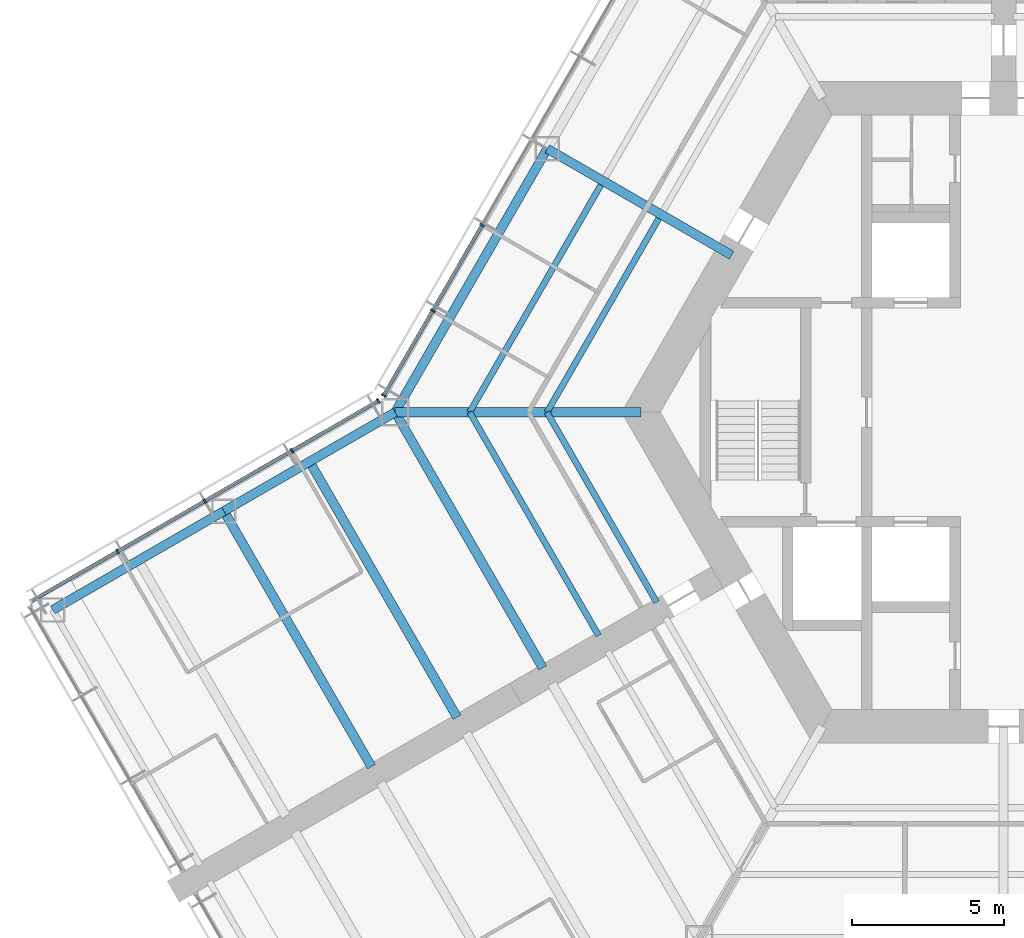
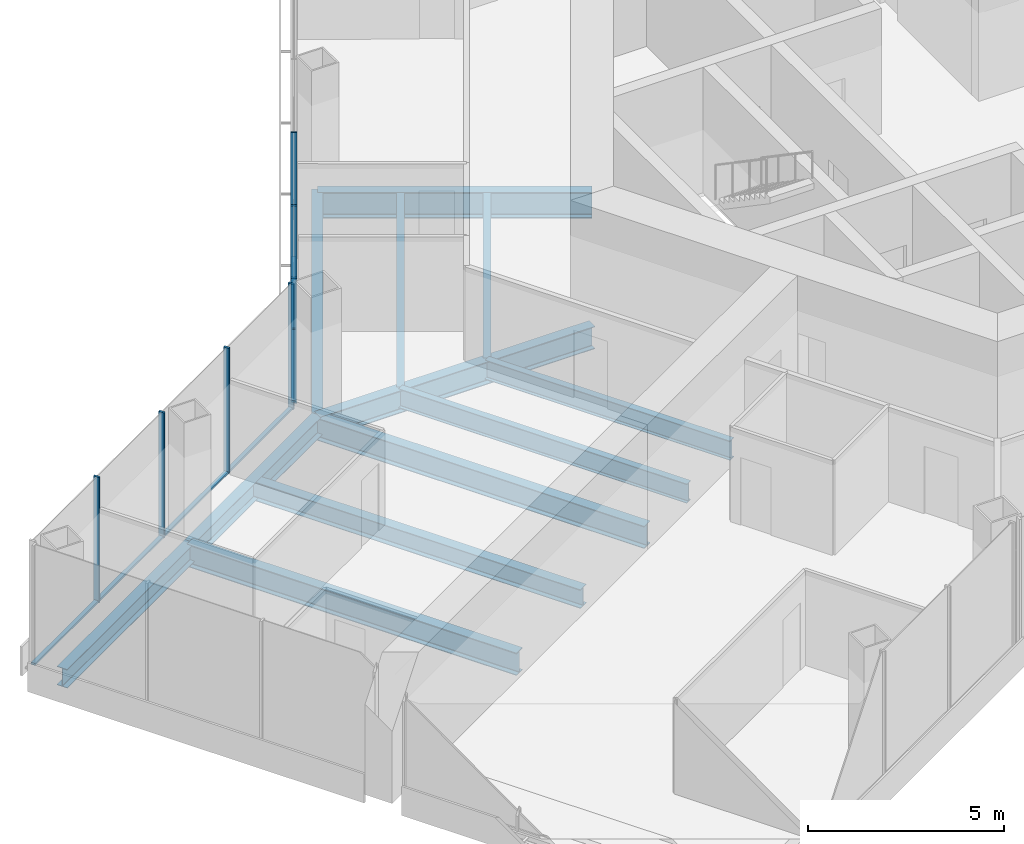
# One storey, part 4 of 18: 13 members, 12 beams, 2 elements without a shape of their own.
"""IFC4 building model written with IfcOpenShell, lengths in metres."""

from ifc_helpers import new_model, si_unit, direction, frame, origin, origin_2d, place, context, subcontext, project, spatial, rectangle, i_section, extrude, material, material_profile, profile_set, type_object, element, aggregate, save


model = new_model("IFC4")

# Units and contexts
model_context = context("Model", 3, precision=1e-05, world=origin(), true_north=direction((0.0, 1.0)))
body_context = subcontext(model_context, "Body", "Model", "MODEL_VIEW")
ifc_project = project(units=[si_unit("LENGTHUNIT", "METRE"), si_unit("AREAUNIT", "SQUARE_METRE"), si_unit("VOLUMEUNIT", "CUBIC_METRE"), si_unit("PLANEANGLEUNIT", "RADIAN"), si_unit("MASSUNIT", "GRAM", prefix="KILO")], contexts=[model_context])

# Site, building, storey
site_placement = place(None, origin())
site = spatial("IfcSite", under=ifc_project, at=site_placement, CompositionType="ELEMENT")
building_placement = place(site_placement, origin())
building = spatial("IfcBuilding", under=site, at=building_placement, Name="Kasaneha Research Tower", CompositionType="ELEMENT")
storey_placement = place(building_placement, frame((0.0, 0.0, 76.800048828125)))
storey = spatial("IfcBuildingStorey", under=building, at=storey_placement, Name="L19", CompositionType="ELEMENT", Elevation=76.800048828125)

# Beams
ifc_material_1 = material(Name="Steel SN490B", Category="steel")
ifc_material_profile_1 = material_profile(ifc_material_1, i_section(OverallWidth=0.199951171875, OverallDepth=0.60009765625, WebThickness=0.010986328125, FlangeThickness=0.01708984375, FilletRadius=0.012939453125, at=origin_2d()), Name="H-600x200x11x17")
ifc_profile_set_1 = profile_set([ifc_material_profile_1], Name="Steel SN490B")
beam_type_1 = type_object("IfcBeamType", Name="B1-3 secondary beam H-600x200x11x17", PredefinedType="JOIST", material=ifc_profile_set_1)
beam_1_placement = place(storey_placement, frame((-15.010986328125, 0.0, -0.449951171875), z_axis=(0.499994443168, 0.866028611999, 0.0), x_axis=(-0.866028611999, 0.499994443168, 0.0)))
element("IfcBeam", 1, at=beam_1_placement, inside=storey, type_object=beam_type_1, Name="Secondary beam RS150R1 L19", PredefinedType="JOIST", context=body_context, shape_type="SweptSolid", body=[
    extrude(i_section(OverallWidth=0.199951171875, OverallDepth=0.60009765625, WebThickness=0.010986328125, FlangeThickness=0.01708984375, FilletRadius=0.012939453125, at=origin_2d()), origin(), (0.0, 0.0, 1.0), 7.35546875),
])
beam_2_placement = place(storey_placement, frame((-17.551513671875, 0.0, -0.449951171875), z_axis=(0.5000050195, 0.866022505755, 0.0), x_axis=(-0.866022505755, 0.5000050195, 0.0)))
element("IfcBeam", 2, at=beam_2_placement, inside=storey, type_object=beam_type_1, Name="Secondary beam RS150R2 L19", PredefinedType="JOIST", context=body_context, shape_type="SweptSolid", body=[
    extrude(i_section(OverallWidth=0.199951171875, OverallDepth=0.60009765625, WebThickness=0.010986328125, FlangeThickness=0.01708984375, FilletRadius=0.012939453125, at=origin_2d()), origin(), (0.0, 0.0, 1.0), 8.6259765625),
])
beam_3_placement = place(storey_placement, frame((-15.010986328125, 0.0, -0.449951171875), z_axis=(0.499972735707, -0.866041144259, 0.0), x_axis=(0.866041144259, 0.499972735707, 0.0)))
element("IfcBeam", 3, at=beam_3_placement, inside=storey, type_object=beam_type_1, Name="Secondary beam RS210L1 L19", PredefinedType="JOIST", context=body_context, shape_type="SweptSolid", body=[
    extrude(i_section(OverallWidth=0.199951171875, OverallDepth=0.60009765625, WebThickness=0.010986328125, FlangeThickness=0.01708984375, FilletRadius=0.012939453125, at=origin_2d()), origin(), (0.0, 0.0, 1.0), 7.20556640625),
])
beam_4_placement = place(storey_placement, frame((-17.551513671875, 0.0, -0.449951171875), z_axis=(0.500020829043, -0.866013377797, 0.0), x_axis=(0.866013377797, 0.500020829043, 0.0)))
element("IfcBeam", 4, at=beam_4_placement, inside=storey, type_object=beam_type_1, Name="Secondary beam RS210L2 L19", PredefinedType="JOIST", context=body_context, shape_type="SweptSolid", body=[
    extrude(i_section(OverallWidth=0.199951171875, OverallDepth=0.60009765625, WebThickness=0.010986328125, FlangeThickness=0.01708984375, FilletRadius=0.012939453125, at=origin_2d()), origin(), (0.0, 0.0, 1.0), 8.475830078125),
])
ifc_material_2 = material(Name="Steel SN490B", Category="steel")
ifc_material_profile_2 = material_profile(ifc_material_2, i_section(OverallWidth=0.300048828125, OverallDepth=0.58203125, WebThickness=0.011962890625, FlangeThickness=0.01708984375, FilletRadius=0.012939453125, at=origin_2d()), Name="H-582x300x12x17")
ifc_profile_set_2 = profile_set([ifc_material_profile_2], Name="Steel SN490B")
beam_type_2 = type_object("IfcBeamType", Name="B2-3 secondary beam H-582x300x12x17", PredefinedType="JOIST", material=ifc_profile_set_2)
beam_5_placement = place(storey_placement, frame((-22.814697265625, -1.625, -0.441162109375), z_axis=(0.500010041276, -0.866019606374, 0.0), x_axis=(0.866019606374, 0.500010041276, 0.0)))
element("IfcBeam", 5, at=beam_5_placement, inside=storey, type_object=beam_type_2, Name="Secondary beam WBBP1 L19", PredefinedType="JOIST", context=body_context, shape_type="SweptSolid", body=[
    extrude(i_section(OverallWidth=0.300048828125, OverallDepth=0.58203125, WebThickness=0.011962890625, FlangeThickness=0.01708984375, FilletRadius=0.012939453125, at=origin_2d()), origin(), (0.0, 0.0, 1.0), 9.699951171875),
])

# Curtain wall, members
ifc_material_3 = material(Name="Glass and aluminium", Category="aluminium")
curtain_wall_type = type_object("IfcCurtainWallType", Name="Low-rise office curtain wall", PredefinedType="USERDEFINED", material=ifc_material_3)
curtain_wall_1_placement = place(storey_placement, origin())
curtain_wall_1 = element("IfcCurtainWall", 6, at=curtain_wall_1_placement, inside=storey, type_object=curtain_wall_type, Name="CW-O1 L19 run 12a", ObjectType="UNITISED CURTAIN WALL", PredefinedType="USERDEFINED")
ifc_material_4 = material(Name="Aluminium 6063-T6", Category="aluminium")
ifc_material_profile_3 = material_profile(ifc_material_4, rectangle(XDim=0.06005859375, YDim=0.159912109375, at=origin_2d()), Name="CW-O1 mullion 60x160")
ifc_profile_set_3 = profile_set([ifc_material_profile_3], Name="Aluminium 6063-T6")
member_type_1 = type_object("IfcMemberType", Name="CW-O1 mullion", PredefinedType="MULLION", material=ifc_profile_set_3)
member_1_placement = place(storey_placement, frame((-17.142822265625, 6.148681640625, 0.0), z_axis=(0.0, 0.0, 1.0), x_axis=(-0.49999996188, -0.866025425793, 0.0)))
member_1 = element("IfcMember", 7, at=member_1_placement, type_object=member_type_1, Name="CW-O1 mullion 5", PredefinedType="MULLION", context=body_context, shape_type="SweptSolid", body=[
    extrude(rectangle(XDim=0.06005859375, YDim=0.159912109375, at=origin_2d()), origin(), (0.0, 0.0, 1.0), 3.89990234375),
])
member_2_placement = place(storey_placement, frame((-18.76611328125, 3.33740234375, 0.0), z_axis=(0.0, 0.0, 1.0), x_axis=(-0.49999996188, -0.866025425793, 0.0)))
member_2 = element("IfcMember", 8, at=member_2_placement, type_object=member_type_1, Name="CW-O1 mullion 6", PredefinedType="MULLION", context=body_context, shape_type="SweptSolid", body=[
    extrude(rectangle(XDim=0.06005859375, YDim=0.159912109375, at=origin_2d()), origin(), (0.0, 0.0, 1.0), 3.89990234375),
])
member_3_placement = place(storey_placement, frame((-20.374267578125, 0.5517578125, 0.0), z_axis=(0.0, 0.0, 1.0), x_axis=(-0.49999996188, -0.866025425793, 0.0)))
member_3 = element("IfcMember", 9, at=member_3_placement, type_object=member_type_1, Name="CW-O1 mullion 7", PredefinedType="MULLION", context=body_context, shape_type="SweptSolid", body=[
    extrude(rectangle(XDim=0.06005859375, YDim=0.159912109375, at=origin_2d()), origin(), (0.0, 0.0, 1.0), 3.89990234375),
])

curtain_wall_2_placement = place(storey_placement, origin())
curtain_wall_2 = element("IfcCurtainWall", 10, at=curtain_wall_2_placement, inside=storey, type_object=curtain_wall_type, Name="CW-O1 L19 run 13a", ObjectType="UNITISED CURTAIN WALL", PredefinedType="USERDEFINED")
member_4_placement = place(storey_placement, frame((-20.5517578125, 0.374267578125, 0.0), z_axis=(0.0, 0.0, 1.0), x_axis=(-0.866025411464, -0.499999986699, 0.0)))
member_4 = element("IfcMember", 11, at=member_4_placement, type_object=member_type_1, Name="CW-O1 mullion 1", PredefinedType="MULLION", context=body_context, shape_type="SweptSolid", body=[
    extrude(rectangle(XDim=0.06005859375, YDim=0.159912109375, at=origin_2d()), origin(), (0.0, 0.0, 1.0), 3.89990234375),
])
member_5_placement = place(storey_placement, frame((-23.39208984375, -1.265625, 0.0), z_axis=(0.0, 0.0, 1.0), x_axis=(-0.866025411464, -0.499999986699, 0.0)))
member_5 = element("IfcMember", 12, at=member_5_placement, type_object=member_type_1, Name="CW-O1 mullion 2", PredefinedType="MULLION", context=body_context, shape_type="SweptSolid", body=[
    extrude(rectangle(XDim=0.06005859375, YDim=0.159912109375, at=origin_2d()), origin(), (0.0, 0.0, 1.0), 3.89990234375),
])
member_6_placement = place(storey_placement, frame((-26.258544921875, -2.920654296875, 0.0), z_axis=(0.0, 0.0, 1.0), x_axis=(-0.866025411464, -0.499999986699, 0.0)))
member_6 = element("IfcMember", 13, at=member_6_placement, type_object=member_type_1, Name="CW-O1 mullion 3", PredefinedType="MULLION", context=body_context, shape_type="SweptSolid", body=[
    extrude(rectangle(XDim=0.06005859375, YDim=0.159912109375, at=origin_2d()), origin(), (0.0, 0.0, 1.0), 3.89990234375),
])
member_7_placement = place(storey_placement, frame((-29.125, -4.575439453125, 0.0), z_axis=(0.0, 0.0, 1.0), x_axis=(-0.866025411464, -0.499999986699, 0.0)))
member_7 = element("IfcMember", 14, at=member_7_placement, type_object=member_type_1, Name="CW-O1 mullion 4", PredefinedType="MULLION", context=body_context, shape_type="SweptSolid", body=[
    extrude(rectangle(XDim=0.06005859375, YDim=0.159912109375, at=origin_2d()), origin(), (0.0, 0.0, 1.0), 3.89990234375),
])

# Member
ifc_material_5 = material(Name="Aluminium 6063-T6", Category="aluminium")
ifc_material_profile_4 = material_profile(ifc_material_5, rectangle(XDim=0.1201171875, YDim=0.06005859375, at=origin_2d()), Name="CW-O1 transom 120x60")
ifc_profile_set_4 = profile_set([ifc_material_profile_4], Name="Aluminium 6063-T6")
member_type_2 = type_object("IfcMemberType", Name="CW-O1 transom", PredefinedType="USERDEFINED", material=ifc_profile_set_4)
member_8_placement = place(storey_placement, frame((-17.15771484375, 6.122802734375, 0.030029296875), z_axis=(-0.500012062035, -0.866018439653, 0.0), x_axis=(0.866018439653, -0.500012062035, 0.0)))
member_8 = element("IfcMember", 15, at=member_8_placement, type_object=member_type_2, Name="CW-O1 transom 5", ObjectType="TRANSOM", PredefinedType="USERDEFINED", context=body_context, shape_type="SweptSolid", body=[
    extrude(rectangle(XDim=0.1201171875, YDim=0.06005859375, at=origin_2d()), origin(), (0.0, 0.0, 1.0), 3.1865234375),
])

member_9_placement = place(storey_placement, frame((-18.781005859375, 3.311279296875, 0.030029296875), z_axis=(-0.499999210213, -0.866025859768, 0.0), x_axis=(0.866025859768, -0.499999210213, 0.0)))
member_9 = element("IfcMember", 16, at=member_9_placement, type_object=member_type_2, Name="CW-O1 transom 6", ObjectType="TRANSOM", PredefinedType="USERDEFINED", context=body_context, shape_type="SweptSolid", body=[
    extrude(rectangle(XDim=0.1201171875, YDim=0.06005859375, at=origin_2d()), origin(), (0.0, 0.0, 1.0), 3.15625),
])

aggregate(curtain_wall_1, [member_1, member_2, member_3, member_8, member_9])

member_10_placement = place(storey_placement, frame((-20.577880859375, 0.359130859375, 0.030029296875), z_axis=(-0.866022692473, -0.500004696101, 0.0), x_axis=(0.500004696101, -0.866022692473, 0.0)))
member_10 = element("IfcMember", 17, at=member_10_placement, type_object=member_type_2, Name="CW-O1 transom 1", ObjectType="TRANSOM", PredefinedType="USERDEFINED", context=body_context, shape_type="SweptSolid", body=[
    extrude(rectangle(XDim=0.1201171875, YDim=0.06005859375, at=origin_2d()), origin(), (0.0, 0.0, 1.0), 3.2197265625),
])

member_11_placement = place(storey_placement, frame((-23.418212890625, -1.28076171875, 0.030029296875), z_axis=(-0.86604797581, -0.499960902066, 0.0), x_axis=(0.499960902066, -0.86604797581, 0.0)))
member_11 = element("IfcMember", 18, at=member_11_placement, type_object=member_type_2, Name="CW-O1 transom 2", ObjectType="TRANSOM", PredefinedType="USERDEFINED", context=body_context, shape_type="SweptSolid", body=[
    extrude(rectangle(XDim=0.1201171875, YDim=0.06005859375, at=origin_2d()), origin(), (0.0, 0.0, 1.0), 3.249755859375),
])

member_12_placement = place(storey_placement, frame((-26.28466796875, -2.935546875, 0.030029296875), z_axis=(-0.86599666273, -0.500049777664, 0.0), x_axis=(0.500049777664, -0.86599666273, 0.0)))
member_12 = element("IfcMember", 19, at=member_12_placement, type_object=member_type_2, Name="CW-O1 transom 3", ObjectType="TRANSOM", PredefinedType="USERDEFINED", context=body_context, shape_type="SweptSolid", body=[
    extrude(rectangle(XDim=0.1201171875, YDim=0.06005859375, at=origin_2d()), origin(), (0.0, 0.0, 1.0), 3.249755859375),
])

member_13_placement = place(storey_placement, frame((-29.15087890625, -4.590576171875, 0.030029296875), z_axis=(-0.866041647767, -0.499971863542, 0.0), x_axis=(0.499971863542, -0.866041647767, 0.0)))
member_13 = element("IfcMember", 20, at=member_13_placement, type_object=member_type_2, Name="CW-O1 transom 4", ObjectType="TRANSOM", PredefinedType="USERDEFINED", context=body_context, shape_type="SweptSolid", body=[
    extrude(rectangle(XDim=0.1201171875, YDim=0.06005859375, at=origin_2d()), origin(), (0.0, 0.0, 1.0), 3.219970703125),
])

aggregate(curtain_wall_2, [member_4, member_5, member_6, member_7, member_10, member_11, member_12, member_13])

# Beams
ifc_material_6 = material(Name="Steel SN490B", Category="steel")
ifc_material_profile_5 = material_profile(ifc_material_6, i_section(OverallWidth=0.300048828125, OverallDepth=0.699951171875, WebThickness=0.012939453125, FlangeThickness=0.02392578125, FilletRadius=0.01806640625, at=origin_2d()), Name="H-700x300x13x24")
ifc_profile_set_5 = profile_set([ifc_material_profile_5], Name="Steel SN490B")
beam_type_3 = type_object("IfcBeamType", Name="G1-3 radial girder H-700x300x13x24", PredefinedType="BEAM", material=ifc_profile_set_5)
beam_6_placement = place(storey_placement, frame((-11.92236328125, 0.0, -0.5), z_axis=(-1.0, 0.0, 0.0), x_axis=(0.0, -1.0, 0.0)))
element("IfcBeam", 21, at=beam_6_placement, inside=storey, type_object=beam_type_3, Name="Radial girder RV180 L19", PredefinedType="BEAM", context=body_context, shape_type="SweptSolid", body=[
    extrude(i_section(OverallWidth=0.300048828125, OverallDepth=0.699951171875, WebThickness=0.012939453125, FlangeThickness=0.02392578125, FilletRadius=0.01806640625, at=origin_2d()), origin(), (0.0, 0.0, 1.0), 8.07763671875),
])
ifc_material_7 = material(Name="Steel SN490B", Category="steel")
ifc_material_profile_6 = material_profile(ifc_material_7, i_section(OverallWidth=0.300048828125, OverallDepth=0.800048828125, WebThickness=0.013916015625, FlangeThickness=0.02587890625, FilletRadius=0.01806640625, at=origin_2d()), Name="H-800x300x14x26")
ifc_profile_set_6 = profile_set([ifc_material_profile_6], Name="Steel SN490B")
beam_type_4 = type_object("IfcBeamType", Name="G2-3 radial girder H-800x300x14x26", PredefinedType="BEAM", material=ifc_profile_set_6)
beam_7_placement = place(storey_placement, frame((-8.941650390625, 5.16259765625, -0.550048828125), z_axis=(-0.866039713508, 0.499975214012, 0.0), x_axis=(-0.499975214012, -0.866039713508, 0.0)))
element("IfcBeam", 22, at=beam_7_placement, inside=storey, type_object=beam_type_4, Name="Radial girder RM150 L19", PredefinedType="BEAM", context=body_context, shape_type="SweptSolid", body=[
    extrude(i_section(OverallWidth=0.300048828125, OverallDepth=0.800048828125, WebThickness=0.013916015625, FlangeThickness=0.02587890625, FilletRadius=0.01806640625, at=origin_2d()), origin(), (0.0, 0.0, 1.0), 6.995361328125),
])
ifc_material_8 = material(Name="Steel SN490B", Category="steel")
ifc_material_profile_7 = material_profile(ifc_material_8, i_section(OverallWidth=0.300048828125, OverallDepth=0.69189453125, WebThickness=0.012939453125, FlangeThickness=0.02001953125, FilletRadius=0.01806640625, at=origin_2d()), Name="H-692x300x13x20")
ifc_profile_set_7 = profile_set([ifc_material_profile_7], Name="Steel SN490B")
beam_type_5 = type_object("IfcBeamType", Name="G3-3 plate edge girder H-692x300x13x20", PredefinedType="BEAM", material=ifc_profile_set_7)
beam_8_placement = place(storey_placement, frame((-20.0, 0.0, -0.49609375), z_axis=(0.500010041276, -0.866019606374, 0.0), x_axis=(0.866019606374, 0.500010041276, 0.0)))
element("IfcBeam", 23, at=beam_8_placement, inside=storey, type_object=beam_type_5, Name="Plate edge girder PEBP L19", PredefinedType="BEAM", context=body_context, shape_type="SweptSolid", body=[
    extrude(i_section(OverallWidth=0.300048828125, OverallDepth=0.69189453125, WebThickness=0.012939453125, FlangeThickness=0.02001953125, FilletRadius=0.01806640625, at=origin_2d()), origin(), (0.0, 0.0, 1.0), 9.699951171875),
])
ifc_material_9 = material(Name="Steel SN490B", Category="steel")
ifc_material_profile_8 = material_profile(ifc_material_9, i_section(OverallWidth=0.300048828125, OverallDepth=0.699951171875, WebThickness=0.012939453125, FlangeThickness=0.02392578125, FilletRadius=0.01806640625, at=origin_2d()), Name="H-700x300x13x24")
ifc_profile_set_8 = profile_set([ifc_material_profile_8], Name="Steel SN490B")
beam_type_6 = type_object("IfcBeamType", Name="G4-3 wing girder H-700x300x13x24", PredefinedType="BEAM", material=ifc_profile_set_8)
beam_9_placement = place(storey_placement, frame((-25.629150390625, -3.25, -0.5), z_axis=(0.500010041276, -0.866019606374, 0.0), x_axis=(0.866019606374, 0.500010041276, 0.0)))
element("IfcBeam", 24, at=beam_9_placement, inside=storey, type_object=beam_type_6, Name="Wing girder WGBP L19", PredefinedType="BEAM", context=body_context, shape_type="SweptSolid", body=[
    extrude(i_section(OverallWidth=0.300048828125, OverallDepth=0.699951171875, WebThickness=0.012939453125, FlangeThickness=0.02392578125, FilletRadius=0.01806640625, at=origin_2d()), origin(), (0.0, 0.0, 1.0), 9.699951171875),
])
ifc_material_10 = material(Name="Steel SN490B", Category="steel")
ifc_material_profile_9 = material_profile(ifc_material_10, i_section(OverallWidth=0.300048828125, OverallDepth=0.69189453125, WebThickness=0.012939453125, FlangeThickness=0.02001953125, FilletRadius=0.01806640625, at=origin_2d()), Name="H-692x300x13x20")
ifc_profile_set_9 = profile_set([ifc_material_profile_9], Name="Steel SN490B")
beam_type_7 = type_object("IfcBeamType", Name="SB1-3 spandrel beam H-692x300x13x20", PredefinedType="SPANDREL", material=ifc_profile_set_9)
beam_10_placement = place(storey_placement, frame((-20.0, 0.0, -0.49609375), z_axis=(0.500004234368, 0.866022959057, 0.0), x_axis=(-0.866022959057, 0.500004234368, 0.0)))
element("IfcBeam", 25, at=beam_10_placement, inside=storey, type_object=beam_type_7, Name="Spandrel beam SR150R L19", PredefinedType="SPANDREL", context=body_context, shape_type="SweptSolid", body=[
    extrude(i_section(OverallWidth=0.300048828125, OverallDepth=0.69189453125, WebThickness=0.012939453125, FlangeThickness=0.02001953125, FilletRadius=0.01806640625, at=origin_2d()), origin(), (0.0, 0.0, 1.0), 10.0),
])
ifc_material_11 = material(Name="Steel SN490B", Category="steel")
ifc_material_profile_10 = material_profile(ifc_material_11, i_section(OverallWidth=0.300048828125, OverallDepth=0.58203125, WebThickness=0.011962890625, FlangeThickness=0.01708984375, FilletRadius=0.012939453125, at=origin_2d()), Name="H-582x300x12x17")
ifc_profile_set_10 = profile_set([ifc_material_profile_10], Name="Steel SN490B")
beam_type_8 = type_object("IfcBeamType", Name="SB2-3 spandrel beam H-582x300x12x17", PredefinedType="SPANDREL", material=ifc_profile_set_10)
for number, where, z_axis, x_axis, name in (
    (26, (-20.0, 0.0, -0.441162109375), (-0.866024837091, -0.50000098154, 0.0), (0.50000098154, -0.866024837091, 0.0), "Spandrel beam WSBP1 L19"),
    (27, (-25.629150390625, -3.25, -0.441162109375), (-0.866024837091, -0.50000098154, 0.0), (0.50000098154, -0.866024837091, 0.0), "Spandrel beam WSBP2 L19"),
):
    element("IfcBeam", number, at=place(storey_placement, frame(where, z_axis=z_axis, x_axis=x_axis)), inside=storey, type_object=beam_type_8, Name=name, PredefinedType="SPANDREL", context=body_context, shape_type="SweptSolid", body=[
        extrude(i_section(OverallWidth=0.300048828125, OverallDepth=0.58203125, WebThickness=0.011962890625, FlangeThickness=0.01708984375, FilletRadius=0.012939453125, at=origin_2d()), origin(), (0.0, 0.0, 1.0), 6.5),
    ])

save(model, "model.ifc")
